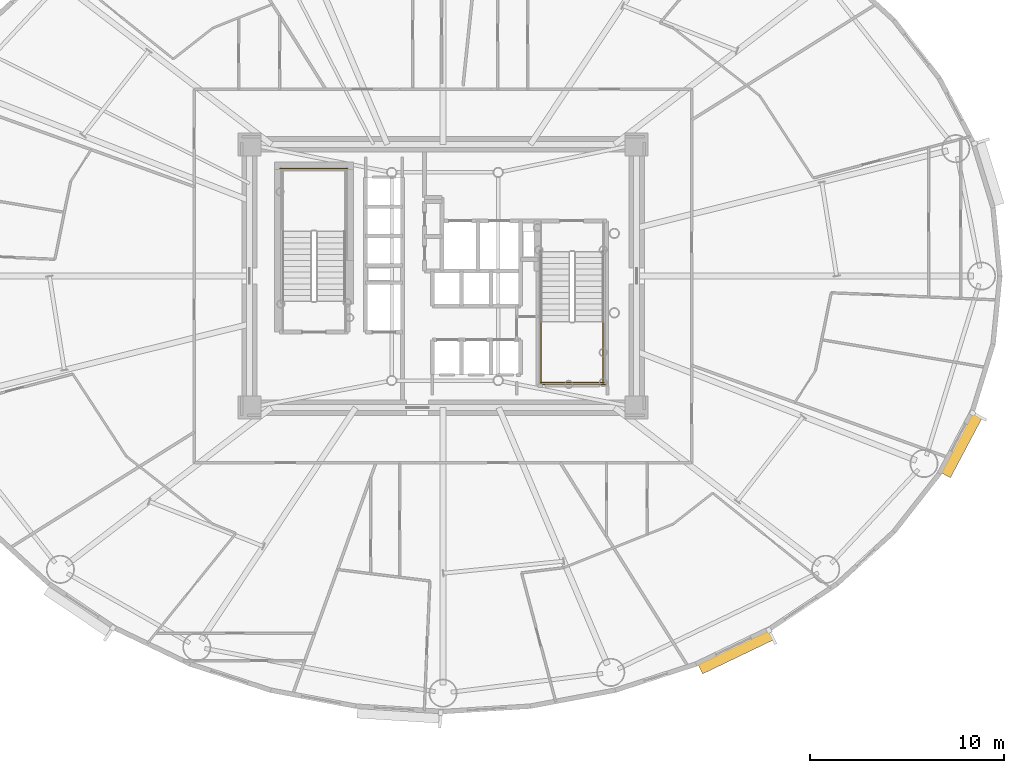
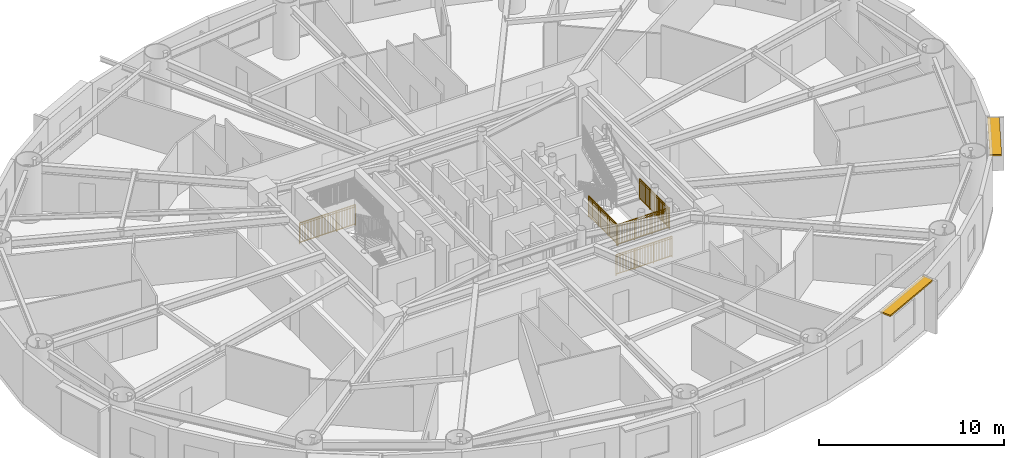
# One storey, part 19 of 21: 5 railings, 2 shading devices.
"""IFC4 building model written with IfcOpenShell, lengths in metres."""

from ifc_helpers import new_model, si_unit, direction, frame, origin, origin_2d, place, context, subcontext, project, spatial, rectangle, extrude, source, transform, mapped, material, layer, layer_set, type_object, element, save


model = new_model("IFC4")

# Units and contexts
model_context = context("Model", 3, precision=1e-05, world=origin(), true_north=direction((0.0, 1.0)))
body_context = subcontext(model_context, "Body", "Model", "MODEL_VIEW")
ifc_project = project(units=[si_unit("LENGTHUNIT", "METRE"), si_unit("AREAUNIT", "SQUARE_METRE"), si_unit("VOLUMEUNIT", "CUBIC_METRE"), si_unit("PLANEANGLEUNIT", "RADIAN"), si_unit("MASSUNIT", "GRAM", prefix="KILO")], contexts=[model_context])

# Site, building, storey
site_placement = place(None, origin())
site = spatial("IfcSite", under=ifc_project, at=site_placement, CompositionType="ELEMENT")
building_placement = place(site_placement, origin())
building = spatial("IfcBuilding", under=site, at=building_placement, Name="Linh Dai School and Residence Tower", CompositionType="ELEMENT")
storey_placement = place(building_placement, frame((0.0, 0.0, 115.949951171875)))
storey = spatial("IfcBuildingStorey", under=building, at=storey_placement, Name="L27", CompositionType="ELEMENT", Elevation=115.949951171875)

# Shading devices
ifc_material_1 = material(Name="Terracotta Ceramic Sunshade", Category="masonry")
ifc_layer = layer(ifc_material_1, 0.10009765625)
ifc_layer_set = layer_set([ifc_layer], Name="Terracotta Ceramic Sunshade")
shading_device_type = type_object("IfcShadingDeviceType", Name="SHD-TC-650", PredefinedType="USERDEFINED", material=ifc_layer_set)
shared_shape_1 = source(origin(), body_context, "Body", "SweptSolid", [
    extrude(rectangle(XDim=4.1005859375, YDim=0.64990234375, at=origin_2d()), origin(), (0.0, 0.0, 1.0), 0.10009765625),
])
shading_device_1_placement = place(storey_placement, frame((51.122802734375, 7.61962890625, 3.3798828125), z_axis=(0.0, 0.0, 1.0), x_axis=(-0.901577518371, -0.432617589064, 0.0)))
element("IfcShadingDevice", 1, at=shading_device_1_placement, inside=storey, type_object=shading_device_type, Name="L27 Terracotta Horizontal Sunshade Band 34", ObjectType="SUNSHADE", PredefinedType="USERDEFINED", context=body_context, shape_type="MappedRepresentation", body=[
    mapped(shared_shape_1, transform((0.0, 0.0, 0.0), x_axis=(1.0, 0.0, 0.0), y_axis=(0.0, 1.0, 0.0), z_axis=(0.0, 0.0, 1.0), scale=1.0)),
])
shared_shape_2 = source(origin(), body_context, "Body", "SweptSolid", [
    extrude(rectangle(XDim=3.541015625, YDim=0.64990234375, at=origin_2d()), origin(), (0.0, 0.0, 1.0), 0.10009765625),
])
shading_device_2_placement = place(storey_placement, frame((62.759521484375, 18.291259765625, 3.3798828125), z_axis=(0.0, 0.0, 1.0), x_axis=(-0.467596217252, -0.883942180016, 0.0)))
element("IfcShadingDevice", 2, at=shading_device_2_placement, inside=storey, type_object=shading_device_type, Name="L27 Terracotta Horizontal Sunshade Band 38", ObjectType="SUNSHADE", PredefinedType="USERDEFINED", context=body_context, shape_type="MappedRepresentation", body=[
    mapped(shared_shape_2, transform((0.0, 0.0, 0.0), x_axis=(1.0, 0.0, 0.0), y_axis=(0.0, 1.0, 0.0), z_axis=(0.0, 0.0, 1.0), scale=1.0)),
])

# Railings
ifc_material_2 = material(Name="Structural Steel S355JR", Category="steel")
railing_type = type_object("IfcRailingType", Name="RL-ST-GUARD-1400", PredefinedType="GUARDRAIL", material=ifc_material_2)
shared_shape_3 = source(origin(), body_context, "Body", "SweptSolid", [
    extrude(rectangle(XDim=0.048095703125, YDim=0.048095703125, at=origin_2d()), frame((0.0, 0.0, 1.3759765625), z_axis=(-1.0, 0.0, 0.0), x_axis=(0.0, -1.0, 0.0)), (0.0, 0.0, 1.0), 3.5),
    extrude(rectangle(XDim=0.048095703125, YDim=0.048095703125, at=origin_2d()), frame((0.0, 0.0, 0.10009765625), z_axis=(-1.0, 0.0, 0.0), x_axis=(0.0, -1.0, 0.0)), (0.0, 0.0, 1.0), 3.5),
    extrude(rectangle(XDim=0.030029296875, YDim=0.030029296875, at=origin_2d()), frame((0.0, 0.0, 1.239990234375), z_axis=(-1.0, 0.0, 0.0), x_axis=(0.0, -1.0, 0.0)), (0.0, 0.0, 1.0), 3.5),
    extrude(rectangle(XDim=0.02001953125, YDim=0.02001953125, at=origin_2d()), frame((-0.09716796875, 0.0, 0.10009765625)), (0.0, 0.0, 1.0), 1.251708984375),
    extrude(rectangle(XDim=0.02001953125, YDim=0.02001953125, at=origin_2d()), frame((-0.1943359375, 0.0, 0.10009765625)), (0.0, 0.0, 1.0), 1.251708984375),
    extrude(rectangle(XDim=0.02001953125, YDim=0.02001953125, at=origin_2d()), frame((-0.291748046875, 0.0, 0.10009765625)), (0.0, 0.0, 1.0), 1.251708984375),
    extrude(rectangle(XDim=0.02001953125, YDim=0.02001953125, at=origin_2d()), frame((-0.388916015625, 0.0, 0.10009765625)), (0.0, 0.0, 1.0), 1.251708984375),
    extrude(rectangle(XDim=0.02001953125, YDim=0.02001953125, at=origin_2d()), frame((-0.486083984375, 0.0, 0.10009765625)), (0.0, 0.0, 1.0), 1.251708984375),
    extrude(rectangle(XDim=0.02001953125, YDim=0.02001953125, at=origin_2d()), frame((-0.583251953125, 0.0, 0.10009765625)), (0.0, 0.0, 1.0), 1.251708984375),
    extrude(rectangle(XDim=0.02001953125, YDim=0.02001953125, at=origin_2d()), frame((-0.6806640625, 0.0, 0.10009765625)), (0.0, 0.0, 1.0), 1.251708984375),
    extrude(rectangle(XDim=0.02001953125, YDim=0.02001953125, at=origin_2d()), frame((-0.77783203125, 0.0, 0.10009765625)), (0.0, 0.0, 1.0), 1.251708984375),
    extrude(rectangle(XDim=0.02001953125, YDim=0.02001953125, at=origin_2d()), frame((-0.875, 0.0, 0.10009765625)), (0.0, 0.0, 1.0), 1.251708984375),
    extrude(rectangle(XDim=0.02001953125, YDim=0.02001953125, at=origin_2d()), frame((-0.97216796875, 0.0, 0.10009765625)), (0.0, 0.0, 1.0), 1.251708984375),
    extrude(rectangle(XDim=0.02001953125, YDim=0.02001953125, at=origin_2d()), frame((-1.0693359375, 0.0, 0.10009765625)), (0.0, 0.0, 1.0), 1.251708984375),
    extrude(rectangle(XDim=0.02001953125, YDim=0.02001953125, at=origin_2d()), frame((-1.263916015625, 0.0, 0.10009765625)), (0.0, 0.0, 1.0), 1.251708984375),
    extrude(rectangle(XDim=0.02001953125, YDim=0.02001953125, at=origin_2d()), frame((-1.361083984375, 0.0, 0.10009765625)), (0.0, 0.0, 1.0), 1.251708984375),
    extrude(rectangle(XDim=0.02001953125, YDim=0.02001953125, at=origin_2d()), frame((-1.458251953125, 0.0, 0.10009765625)), (0.0, 0.0, 1.0), 1.251708984375),
    extrude(rectangle(XDim=0.02001953125, YDim=0.02001953125, at=origin_2d()), frame((-1.5556640625, 0.0, 0.10009765625)), (0.0, 0.0, 1.0), 1.251708984375),
    extrude(rectangle(XDim=0.02001953125, YDim=0.02001953125, at=origin_2d()), frame((-1.65283203125, 0.0, 0.10009765625)), (0.0, 0.0, 1.0), 1.251708984375),
    extrude(rectangle(XDim=0.02001953125, YDim=0.02001953125, at=origin_2d()), frame((-1.75, 0.0, 0.10009765625)), (0.0, 0.0, 1.0), 1.251708984375),
    extrude(rectangle(XDim=0.02001953125, YDim=0.02001953125, at=origin_2d()), frame((-1.84716796875, 0.0, 0.10009765625)), (0.0, 0.0, 1.0), 1.251708984375),
    extrude(rectangle(XDim=0.02001953125, YDim=0.02001953125, at=origin_2d()), frame((-1.9443359375, 0.0, 0.10009765625)), (0.0, 0.0, 1.0), 1.251708984375),
    extrude(rectangle(XDim=0.02001953125, YDim=0.02001953125, at=origin_2d()), frame((-2.041748046875, 0.0, 0.10009765625)), (0.0, 0.0, 1.0), 1.251708984375),
    extrude(rectangle(XDim=0.02001953125, YDim=0.02001953125, at=origin_2d()), frame((-2.138916015625, 0.0, 0.10009765625)), (0.0, 0.0, 1.0), 1.251708984375),
    extrude(rectangle(XDim=0.02001953125, YDim=0.02001953125, at=origin_2d()), frame((-2.236083984375, 0.0, 0.10009765625)), (0.0, 0.0, 1.0), 1.251708984375),
    extrude(rectangle(XDim=0.02001953125, YDim=0.02001953125, at=origin_2d()), frame((-2.4306640625, 0.0, 0.10009765625)), (0.0, 0.0, 1.0), 1.251708984375),
    extrude(rectangle(XDim=0.02001953125, YDim=0.02001953125, at=origin_2d()), frame((-2.52783203125, 0.0, 0.10009765625)), (0.0, 0.0, 1.0), 1.251708984375),
    extrude(rectangle(XDim=0.02001953125, YDim=0.02001953125, at=origin_2d()), frame((-2.625, 0.0, 0.10009765625)), (0.0, 0.0, 1.0), 1.251708984375),
    extrude(rectangle(XDim=0.02001953125, YDim=0.02001953125, at=origin_2d()), frame((-2.72216796875, 0.0, 0.10009765625)), (0.0, 0.0, 1.0), 1.251708984375),
    extrude(rectangle(XDim=0.02001953125, YDim=0.02001953125, at=origin_2d()), frame((-2.8193359375, 0.0, 0.10009765625)), (0.0, 0.0, 1.0), 1.251708984375),
    extrude(rectangle(XDim=0.02001953125, YDim=0.02001953125, at=origin_2d()), frame((-2.916748046875, 0.0, 0.10009765625)), (0.0, 0.0, 1.0), 1.251708984375),
    extrude(rectangle(XDim=0.02001953125, YDim=0.02001953125, at=origin_2d()), frame((-3.013916015625, 0.0, 0.10009765625)), (0.0, 0.0, 1.0), 1.251708984375),
    extrude(rectangle(XDim=0.02001953125, YDim=0.02001953125, at=origin_2d()), frame((-3.111083984375, 0.0, 0.10009765625)), (0.0, 0.0, 1.0), 1.251708984375),
    extrude(rectangle(XDim=0.02001953125, YDim=0.02001953125, at=origin_2d()), frame((-3.208251953125, 0.0, 0.10009765625)), (0.0, 0.0, 1.0), 1.251708984375),
    extrude(rectangle(XDim=0.02001953125, YDim=0.02001953125, at=origin_2d()), frame((-3.3056640625, 0.0, 0.10009765625)), (0.0, 0.0, 1.0), 1.251708984375),
    extrude(rectangle(XDim=0.02001953125, YDim=0.02001953125, at=origin_2d()), frame((-3.40283203125, 0.0, 0.10009765625)), (0.0, 0.0, 1.0), 1.251708984375),
    extrude(rectangle(XDim=0.0419921875, YDim=0.0419921875, at=origin_2d()), origin(), (0.0, 0.0, 1.0), 1.3759765625),
    extrude(rectangle(XDim=0.0419921875, YDim=0.0419921875, at=origin_2d()), frame((-1.166748046875, 0.0, 0.0)), (0.0, 0.0, 1.0), 1.3759765625),
    extrude(rectangle(XDim=0.0419921875, YDim=0.0419921875, at=origin_2d()), frame((-2.333251953125, 0.0, 0.0)), (0.0, 0.0, 1.0), 1.3759765625),
    extrude(rectangle(XDim=0.0419921875, YDim=0.0419921875, at=origin_2d()), frame((-3.5, 0.0, 0.0)), (0.0, 0.0, 1.0), 1.3759765625),
])
railing_1_placement = place(storey_placement, frame((31.080078125, 32.550048828125, 0.0)))
element("IfcRailing", 3, at=railing_1_placement, inside=storey, type_object=railing_type, Name="L27 ST1 stair guard 12", PredefinedType="GUARDRAIL", context=body_context, shape_type="MappedRepresentation", body=[
    mapped(shared_shape_3, transform((0.0, 0.0, 0.0), x_axis=(1.0, 0.0, 0.0), y_axis=(0.0, 1.0, 0.0), z_axis=(0.0, 0.0, 1.0), scale=1.0)),
])
shared_shape_4 = source(origin(), body_context, "Body", "SweptSolid", [
    extrude(rectangle(XDim=0.048095703125, YDim=0.048095703125, at=origin_2d()), frame((0.0, 0.0, 1.3759765625), z_axis=(1.0, 0.0, 0.0), x_axis=(0.0, 1.0, 0.0)), (0.0, 0.0, 1.0), 3.300048828125),
    extrude(rectangle(XDim=0.048095703125, YDim=0.048095703125, at=origin_2d()), frame((0.0, 0.0, 0.10009765625), z_axis=(1.0, 0.0, 0.0), x_axis=(0.0, 1.0, 0.0)), (0.0, 0.0, 1.0), 3.300048828125),
    extrude(rectangle(XDim=0.030029296875, YDim=0.030029296875, at=origin_2d()), frame((0.0, 0.0, 1.239990234375), z_axis=(1.0, 0.0, 0.0), x_axis=(0.0, 1.0, 0.0)), (0.0, 0.0, 1.0), 3.300048828125),
    extrude(rectangle(XDim=0.02001953125, YDim=0.02001953125, at=origin_2d()), frame((0.09716796875, 0.0, 0.10009765625)), (0.0, 0.0, 1.0), 1.251708984375),
    extrude(rectangle(XDim=0.02001953125, YDim=0.02001953125, at=origin_2d()), frame((0.194091796875, 0.0, 0.10009765625)), (0.0, 0.0, 1.0), 1.251708984375),
    extrude(rectangle(XDim=0.02001953125, YDim=0.02001953125, at=origin_2d()), frame((0.291259765625, 0.0, 0.10009765625)), (0.0, 0.0, 1.0), 1.251708984375),
    extrude(rectangle(XDim=0.02001953125, YDim=0.02001953125, at=origin_2d()), frame((0.38818359375, 0.0, 0.10009765625)), (0.0, 0.0, 1.0), 1.251708984375),
    extrude(rectangle(XDim=0.02001953125, YDim=0.02001953125, at=origin_2d()), frame((0.4853515625, 0.0, 0.10009765625)), (0.0, 0.0, 1.0), 1.251708984375),
    extrude(rectangle(XDim=0.02001953125, YDim=0.02001953125, at=origin_2d()), frame((0.582275390625, 0.0, 0.10009765625)), (0.0, 0.0, 1.0), 1.251708984375),
    extrude(rectangle(XDim=0.02001953125, YDim=0.02001953125, at=origin_2d()), frame((0.679443359375, 0.0, 0.10009765625)), (0.0, 0.0, 1.0), 1.251708984375),
    extrude(rectangle(XDim=0.02001953125, YDim=0.02001953125, at=origin_2d()), frame((0.7763671875, 0.0, 0.10009765625)), (0.0, 0.0, 1.0), 1.251708984375),
    extrude(rectangle(XDim=0.02001953125, YDim=0.02001953125, at=origin_2d()), frame((0.87353515625, 0.0, 0.10009765625)), (0.0, 0.0, 1.0), 1.251708984375),
    extrude(rectangle(XDim=0.02001953125, YDim=0.02001953125, at=origin_2d()), frame((0.970703125, 0.0, 0.10009765625)), (0.0, 0.0, 1.0), 1.251708984375),
    extrude(rectangle(XDim=0.02001953125, YDim=0.02001953125, at=origin_2d()), frame((1.164794921875, 0.0, 0.10009765625)), (0.0, 0.0, 1.0), 1.251708984375),
    extrude(rectangle(XDim=0.02001953125, YDim=0.02001953125, at=origin_2d()), frame((1.26171875, 0.0, 0.10009765625)), (0.0, 0.0, 1.0), 1.251708984375),
    extrude(rectangle(XDim=0.02001953125, YDim=0.02001953125, at=origin_2d()), frame((1.35888671875, 0.0, 0.10009765625)), (0.0, 0.0, 1.0), 1.251708984375),
    extrude(rectangle(XDim=0.02001953125, YDim=0.02001953125, at=origin_2d()), frame((1.455810546875, 0.0, 0.10009765625)), (0.0, 0.0, 1.0), 1.251708984375),
    extrude(rectangle(XDim=0.02001953125, YDim=0.02001953125, at=origin_2d()), frame((1.552978515625, 0.0, 0.10009765625)), (0.0, 0.0, 1.0), 1.251708984375),
    extrude(rectangle(XDim=0.02001953125, YDim=0.02001953125, at=origin_2d()), frame((1.64990234375, 0.0, 0.10009765625)), (0.0, 0.0, 1.0), 1.251708984375),
    extrude(rectangle(XDim=0.02001953125, YDim=0.02001953125, at=origin_2d()), frame((1.7470703125, 0.0, 0.10009765625)), (0.0, 0.0, 1.0), 1.251708984375),
    extrude(rectangle(XDim=0.02001953125, YDim=0.02001953125, at=origin_2d()), frame((1.84423828125, 0.0, 0.10009765625)), (0.0, 0.0, 1.0), 1.251708984375),
    extrude(rectangle(XDim=0.02001953125, YDim=0.02001953125, at=origin_2d()), frame((1.941162109375, 0.0, 0.10009765625)), (0.0, 0.0, 1.0), 1.251708984375),
    extrude(rectangle(XDim=0.02001953125, YDim=0.02001953125, at=origin_2d()), frame((2.038330078125, 0.0, 0.10009765625)), (0.0, 0.0, 1.0), 1.251708984375),
    extrude(rectangle(XDim=0.02001953125, YDim=0.02001953125, at=origin_2d()), frame((2.13525390625, 0.0, 0.10009765625)), (0.0, 0.0, 1.0), 1.251708984375),
    extrude(rectangle(XDim=0.02001953125, YDim=0.02001953125, at=origin_2d()), frame((2.329345703125, 0.0, 0.10009765625)), (0.0, 0.0, 1.0), 1.251708984375),
    extrude(rectangle(XDim=0.02001953125, YDim=0.02001953125, at=origin_2d()), frame((2.426513671875, 0.0, 0.10009765625)), (0.0, 0.0, 1.0), 1.251708984375),
    extrude(rectangle(XDim=0.02001953125, YDim=0.02001953125, at=origin_2d()), frame((2.523681640625, 0.0, 0.10009765625)), (0.0, 0.0, 1.0), 1.251708984375),
    extrude(rectangle(XDim=0.02001953125, YDim=0.02001953125, at=origin_2d()), frame((2.62060546875, 0.0, 0.10009765625)), (0.0, 0.0, 1.0), 1.251708984375),
    extrude(rectangle(XDim=0.02001953125, YDim=0.02001953125, at=origin_2d()), frame((2.7177734375, 0.0, 0.10009765625)), (0.0, 0.0, 1.0), 1.251708984375),
    extrude(rectangle(XDim=0.02001953125, YDim=0.02001953125, at=origin_2d()), frame((2.814697265625, 0.0, 0.10009765625)), (0.0, 0.0, 1.0), 1.251708984375),
    extrude(rectangle(XDim=0.02001953125, YDim=0.02001953125, at=origin_2d()), frame((2.911865234375, 0.0, 0.10009765625)), (0.0, 0.0, 1.0), 1.251708984375),
    extrude(rectangle(XDim=0.02001953125, YDim=0.02001953125, at=origin_2d()), frame((3.0087890625, 0.0, 0.10009765625)), (0.0, 0.0, 1.0), 1.251708984375),
    extrude(rectangle(XDim=0.02001953125, YDim=0.02001953125, at=origin_2d()), frame((3.10595703125, 0.0, 0.10009765625)), (0.0, 0.0, 1.0), 1.251708984375),
    extrude(rectangle(XDim=0.02001953125, YDim=0.02001953125, at=origin_2d()), frame((3.202880859375, 0.0, 0.10009765625)), (0.0, 0.0, 1.0), 1.251708984375),
    extrude(rectangle(XDim=0.0419921875, YDim=0.0419921875, at=origin_2d()), origin(), (0.0, 0.0, 1.0), 1.3759765625),
    extrude(rectangle(XDim=0.0419921875, YDim=0.0419921875, at=origin_2d()), frame((1.10009765625, 0.0, 0.0)), (0.0, 0.0, 1.0), 1.3759765625),
    extrude(rectangle(XDim=0.0419921875, YDim=0.0419921875, at=origin_2d()), frame((2.199951171875, 0.0, 0.0)), (0.0, 0.0, 1.0), 1.3759765625),
    extrude(rectangle(XDim=0.0419921875, YDim=0.0419921875, at=origin_2d()), frame((3.300048828125, 0.0, 0.0)), (0.0, 0.0, 1.0), 1.3759765625),
])
railing_2_placement = place(storey_placement, frame((41.02001953125, 21.5, 1.875)))
element("IfcRailing", 4, at=railing_2_placement, inside=storey, type_object=railing_type, Name="L27 ST2 stair guard 5", PredefinedType="GUARDRAIL", context=body_context, shape_type="MappedRepresentation", body=[
    mapped(shared_shape_4, transform((0.0, 0.0, 0.0), x_axis=(1.0, 0.0, 0.0), y_axis=(0.0, 1.0, 0.0), z_axis=(0.0, 0.0, 1.0), scale=1.0)),
])
shared_shape_5 = source(origin(), body_context, "Body", "SweptSolid", [
    extrude(rectangle(XDim=0.048095703125, YDim=0.048095703125, at=origin_2d()), frame((0.0, 0.0, 1.3759765625), z_axis=(1.0, 0.0, 0.0), x_axis=(0.0, 1.0, 0.0)), (0.0, 0.0, 1.0), 3.5),
    extrude(rectangle(XDim=0.048095703125, YDim=0.048095703125, at=origin_2d()), frame((0.0, 0.0, 0.10009765625), z_axis=(1.0, 0.0, 0.0), x_axis=(0.0, 1.0, 0.0)), (0.0, 0.0, 1.0), 3.5),
    extrude(rectangle(XDim=0.030029296875, YDim=0.030029296875, at=origin_2d()), frame((0.0, 0.0, 1.239990234375), z_axis=(1.0, 0.0, 0.0), x_axis=(0.0, 1.0, 0.0)), (0.0, 0.0, 1.0), 3.5),
    extrude(rectangle(XDim=0.02001953125, YDim=0.02001953125, at=origin_2d()), frame((0.09716796875, 0.0, 0.10009765625)), (0.0, 0.0, 1.0), 1.251708984375),
    extrude(rectangle(XDim=0.02001953125, YDim=0.02001953125, at=origin_2d()), frame((0.1943359375, 0.0, 0.10009765625)), (0.0, 0.0, 1.0), 1.251708984375),
    extrude(rectangle(XDim=0.02001953125, YDim=0.02001953125, at=origin_2d()), frame((0.291748046875, 0.0, 0.10009765625)), (0.0, 0.0, 1.0), 1.251708984375),
    extrude(rectangle(XDim=0.02001953125, YDim=0.02001953125, at=origin_2d()), frame((0.388916015625, 0.0, 0.10009765625)), (0.0, 0.0, 1.0), 1.251708984375),
    extrude(rectangle(XDim=0.02001953125, YDim=0.02001953125, at=origin_2d()), frame((0.486083984375, 0.0, 0.10009765625)), (0.0, 0.0, 1.0), 1.251708984375),
    extrude(rectangle(XDim=0.02001953125, YDim=0.02001953125, at=origin_2d()), frame((0.583251953125, 0.0, 0.10009765625)), (0.0, 0.0, 1.0), 1.251708984375),
    extrude(rectangle(XDim=0.02001953125, YDim=0.02001953125, at=origin_2d()), frame((0.6806640625, 0.0, 0.10009765625)), (0.0, 0.0, 1.0), 1.251708984375),
    extrude(rectangle(XDim=0.02001953125, YDim=0.02001953125, at=origin_2d()), frame((0.77783203125, 0.0, 0.10009765625)), (0.0, 0.0, 1.0), 1.251708984375),
    extrude(rectangle(XDim=0.02001953125, YDim=0.02001953125, at=origin_2d()), frame((0.875, 0.0, 0.10009765625)), (0.0, 0.0, 1.0), 1.251708984375),
    extrude(rectangle(XDim=0.02001953125, YDim=0.02001953125, at=origin_2d()), frame((0.97216796875, 0.0, 0.10009765625)), (0.0, 0.0, 1.0), 1.251708984375),
    extrude(rectangle(XDim=0.02001953125, YDim=0.02001953125, at=origin_2d()), frame((1.0693359375, 0.0, 0.10009765625)), (0.0, 0.0, 1.0), 1.251708984375),
    extrude(rectangle(XDim=0.02001953125, YDim=0.02001953125, at=origin_2d()), frame((1.263916015625, 0.0, 0.10009765625)), (0.0, 0.0, 1.0), 1.251708984375),
    extrude(rectangle(XDim=0.02001953125, YDim=0.02001953125, at=origin_2d()), frame((1.361083984375, 0.0, 0.10009765625)), (0.0, 0.0, 1.0), 1.251708984375),
    extrude(rectangle(XDim=0.02001953125, YDim=0.02001953125, at=origin_2d()), frame((1.458251953125, 0.0, 0.10009765625)), (0.0, 0.0, 1.0), 1.251708984375),
    extrude(rectangle(XDim=0.02001953125, YDim=0.02001953125, at=origin_2d()), frame((1.5556640625, 0.0, 0.10009765625)), (0.0, 0.0, 1.0), 1.251708984375),
    extrude(rectangle(XDim=0.02001953125, YDim=0.02001953125, at=origin_2d()), frame((1.65283203125, 0.0, 0.10009765625)), (0.0, 0.0, 1.0), 1.251708984375),
    extrude(rectangle(XDim=0.02001953125, YDim=0.02001953125, at=origin_2d()), frame((1.75, 0.0, 0.10009765625)), (0.0, 0.0, 1.0), 1.251708984375),
    extrude(rectangle(XDim=0.02001953125, YDim=0.02001953125, at=origin_2d()), frame((1.84716796875, 0.0, 0.10009765625)), (0.0, 0.0, 1.0), 1.251708984375),
    extrude(rectangle(XDim=0.02001953125, YDim=0.02001953125, at=origin_2d()), frame((1.9443359375, 0.0, 0.10009765625)), (0.0, 0.0, 1.0), 1.251708984375),
    extrude(rectangle(XDim=0.02001953125, YDim=0.02001953125, at=origin_2d()), frame((2.041748046875, 0.0, 0.10009765625)), (0.0, 0.0, 1.0), 1.251708984375),
    extrude(rectangle(XDim=0.02001953125, YDim=0.02001953125, at=origin_2d()), frame((2.138916015625, 0.0, 0.10009765625)), (0.0, 0.0, 1.0), 1.251708984375),
    extrude(rectangle(XDim=0.02001953125, YDim=0.02001953125, at=origin_2d()), frame((2.236083984375, 0.0, 0.10009765625)), (0.0, 0.0, 1.0), 1.251708984375),
    extrude(rectangle(XDim=0.02001953125, YDim=0.02001953125, at=origin_2d()), frame((2.4306640625, 0.0, 0.10009765625)), (0.0, 0.0, 1.0), 1.251708984375),
    extrude(rectangle(XDim=0.02001953125, YDim=0.02001953125, at=origin_2d()), frame((2.52783203125, 0.0, 0.10009765625)), (0.0, 0.0, 1.0), 1.251708984375),
    extrude(rectangle(XDim=0.02001953125, YDim=0.02001953125, at=origin_2d()), frame((2.625, 0.0, 0.10009765625)), (0.0, 0.0, 1.0), 1.251708984375),
    extrude(rectangle(XDim=0.02001953125, YDim=0.02001953125, at=origin_2d()), frame((2.72216796875, 0.0, 0.10009765625)), (0.0, 0.0, 1.0), 1.251708984375),
    extrude(rectangle(XDim=0.02001953125, YDim=0.02001953125, at=origin_2d()), frame((2.8193359375, 0.0, 0.10009765625)), (0.0, 0.0, 1.0), 1.251708984375),
    extrude(rectangle(XDim=0.02001953125, YDim=0.02001953125, at=origin_2d()), frame((2.916748046875, 0.0, 0.10009765625)), (0.0, 0.0, 1.0), 1.251708984375),
    extrude(rectangle(XDim=0.02001953125, YDim=0.02001953125, at=origin_2d()), frame((3.013916015625, 0.0, 0.10009765625)), (0.0, 0.0, 1.0), 1.251708984375),
    extrude(rectangle(XDim=0.02001953125, YDim=0.02001953125, at=origin_2d()), frame((3.111083984375, 0.0, 0.10009765625)), (0.0, 0.0, 1.0), 1.251708984375),
    extrude(rectangle(XDim=0.02001953125, YDim=0.02001953125, at=origin_2d()), frame((3.208251953125, 0.0, 0.10009765625)), (0.0, 0.0, 1.0), 1.251708984375),
    extrude(rectangle(XDim=0.02001953125, YDim=0.02001953125, at=origin_2d()), frame((3.3056640625, 0.0, 0.10009765625)), (0.0, 0.0, 1.0), 1.251708984375),
    extrude(rectangle(XDim=0.02001953125, YDim=0.02001953125, at=origin_2d()), frame((3.40283203125, 0.0, 0.10009765625)), (0.0, 0.0, 1.0), 1.251708984375),
    extrude(rectangle(XDim=0.0419921875, YDim=0.0419921875, at=origin_2d()), origin(), (0.0, 0.0, 1.0), 1.3759765625),
    extrude(rectangle(XDim=0.0419921875, YDim=0.0419921875, at=origin_2d()), frame((1.166748046875, 0.0, 0.0)), (0.0, 0.0, 1.0), 1.3759765625),
    extrude(rectangle(XDim=0.0419921875, YDim=0.0419921875, at=origin_2d()), frame((2.333251953125, 0.0, 0.0)), (0.0, 0.0, 1.0), 1.3759765625),
    extrude(rectangle(XDim=0.0419921875, YDim=0.0419921875, at=origin_2d()), frame((3.5, 0.0, 0.0)), (0.0, 0.0, 1.0), 1.3759765625),
])
railing_3_placement = place(storey_placement, frame((40.919921875, 21.39990234375, 0.0)))
element("IfcRailing", 5, at=railing_3_placement, inside=storey, type_object=railing_type, Name="L27 ST2 stair guard 12", PredefinedType="GUARDRAIL", context=body_context, shape_type="MappedRepresentation", body=[
    mapped(shared_shape_5, transform((0.0, 0.0, 0.0), x_axis=(1.0, 0.0, 0.0), y_axis=(0.0, 1.0, 0.0), z_axis=(0.0, 0.0, 1.0), scale=1.0)),
])
shared_shape_6 = source(origin(), body_context, "Body", "SweptSolid", [
    extrude(rectangle(XDim=0.048095703125, YDim=0.048095703125, at=origin_2d()), frame((0.0, 0.0, 1.3759765625), z_axis=(0.0, -1.0, 0.0), x_axis=(1.0, 0.0, 0.0)), (0.0, 0.0, 1.0), 3.199951171875),
    extrude(rectangle(XDim=0.048095703125, YDim=0.048095703125, at=origin_2d()), frame((0.0, 0.0, 0.10009765625), z_axis=(0.0, -1.0, 0.0), x_axis=(1.0, 0.0, 0.0)), (0.0, 0.0, 1.0), 3.199951171875),
    extrude(rectangle(XDim=0.030029296875, YDim=0.030029296875, at=origin_2d()), frame((0.0, 0.0, 1.239990234375), z_axis=(0.0, -1.0, 0.0), x_axis=(1.0, 0.0, 0.0)), (0.0, 0.0, 1.0), 3.199951171875),
    extrude(rectangle(XDim=0.02001953125, YDim=0.02001953125, at=origin_2d()), frame((0.0, -0.096923828125, 0.10009765625)), (0.0, 0.0, 1.0), 1.251708984375),
    extrude(rectangle(XDim=0.02001953125, YDim=0.02001953125, at=origin_2d()), frame((0.0, -0.19384765625, 0.10009765625)), (0.0, 0.0, 1.0), 1.251708984375),
    extrude(rectangle(XDim=0.02001953125, YDim=0.02001953125, at=origin_2d()), frame((0.0, -0.291015625, 0.10009765625)), (0.0, 0.0, 1.0), 1.251708984375),
    extrude(rectangle(XDim=0.02001953125, YDim=0.02001953125, at=origin_2d()), frame((0.0, -0.387939453125, 0.10009765625)), (0.0, 0.0, 1.0), 1.251708984375),
    extrude(rectangle(XDim=0.02001953125, YDim=0.02001953125, at=origin_2d()), frame((0.0, -0.48486328125, 0.10009765625)), (0.0, 0.0, 1.0), 1.251708984375),
    extrude(rectangle(XDim=0.02001953125, YDim=0.02001953125, at=origin_2d()), frame((0.0, -0.581787109375, 0.10009765625)), (0.0, 0.0, 1.0), 1.251708984375),
    extrude(rectangle(XDim=0.02001953125, YDim=0.02001953125, at=origin_2d()), frame((0.0, -0.6787109375, 0.10009765625)), (0.0, 0.0, 1.0), 1.251708984375),
    extrude(rectangle(XDim=0.02001953125, YDim=0.02001953125, at=origin_2d()), frame((0.0, -0.775634765625, 0.10009765625)), (0.0, 0.0, 1.0), 1.251708984375),
    extrude(rectangle(XDim=0.02001953125, YDim=0.02001953125, at=origin_2d()), frame((0.0, -0.872802734375, 0.10009765625)), (0.0, 0.0, 1.0), 1.251708984375),
    extrude(rectangle(XDim=0.02001953125, YDim=0.02001953125, at=origin_2d()), frame((0.0, -0.9697265625, 0.10009765625)), (0.0, 0.0, 1.0), 1.251708984375),
    extrude(rectangle(XDim=0.02001953125, YDim=0.02001953125, at=origin_2d()), frame((0.0, -1.16357421875, 0.10009765625)), (0.0, 0.0, 1.0), 1.251708984375),
    extrude(rectangle(XDim=0.02001953125, YDim=0.02001953125, at=origin_2d()), frame((0.0, -1.260498046875, 0.10009765625)), (0.0, 0.0, 1.0), 1.251708984375),
    extrude(rectangle(XDim=0.02001953125, YDim=0.02001953125, at=origin_2d()), frame((0.0, -1.357666015625, 0.10009765625)), (0.0, 0.0, 1.0), 1.251708984375),
    extrude(rectangle(XDim=0.02001953125, YDim=0.02001953125, at=origin_2d()), frame((0.0, -1.45458984375, 0.10009765625)), (0.0, 0.0, 1.0), 1.251708984375),
    extrude(rectangle(XDim=0.02001953125, YDim=0.02001953125, at=origin_2d()), frame((0.0, -1.551513671875, 0.10009765625)), (0.0, 0.0, 1.0), 1.251708984375),
    extrude(rectangle(XDim=0.02001953125, YDim=0.02001953125, at=origin_2d()), frame((0.0, -1.6484375, 0.10009765625)), (0.0, 0.0, 1.0), 1.251708984375),
    extrude(rectangle(XDim=0.02001953125, YDim=0.02001953125, at=origin_2d()), frame((0.0, -1.745361328125, 0.10009765625)), (0.0, 0.0, 1.0), 1.251708984375),
    extrude(rectangle(XDim=0.02001953125, YDim=0.02001953125, at=origin_2d()), frame((0.0, -1.84228515625, 0.10009765625)), (0.0, 0.0, 1.0), 1.251708984375),
    extrude(rectangle(XDim=0.02001953125, YDim=0.02001953125, at=origin_2d()), frame((0.0, -1.939453125, 0.10009765625)), (0.0, 0.0, 1.0), 1.251708984375),
    extrude(rectangle(XDim=0.02001953125, YDim=0.02001953125, at=origin_2d()), frame((0.0, -2.036376953125, 0.10009765625)), (0.0, 0.0, 1.0), 1.251708984375),
    extrude(rectangle(XDim=0.02001953125, YDim=0.02001953125, at=origin_2d()), frame((0.0, -2.230224609375, 0.10009765625)), (0.0, 0.0, 1.0), 1.251708984375),
    extrude(rectangle(XDim=0.02001953125, YDim=0.02001953125, at=origin_2d()), frame((0.0, -2.3271484375, 0.10009765625)), (0.0, 0.0, 1.0), 1.251708984375),
    extrude(rectangle(XDim=0.02001953125, YDim=0.02001953125, at=origin_2d()), frame((0.0, -2.42431640625, 0.10009765625)), (0.0, 0.0, 1.0), 1.251708984375),
    extrude(rectangle(XDim=0.02001953125, YDim=0.02001953125, at=origin_2d()), frame((0.0, -2.521240234375, 0.10009765625)), (0.0, 0.0, 1.0), 1.251708984375),
    extrude(rectangle(XDim=0.02001953125, YDim=0.02001953125, at=origin_2d()), frame((0.0, -2.6181640625, 0.10009765625)), (0.0, 0.0, 1.0), 1.251708984375),
    extrude(rectangle(XDim=0.02001953125, YDim=0.02001953125, at=origin_2d()), frame((0.0, -2.715087890625, 0.10009765625)), (0.0, 0.0, 1.0), 1.251708984375),
    extrude(rectangle(XDim=0.02001953125, YDim=0.02001953125, at=origin_2d()), frame((0.0, -2.81201171875, 0.10009765625)), (0.0, 0.0, 1.0), 1.251708984375),
    extrude(rectangle(XDim=0.02001953125, YDim=0.02001953125, at=origin_2d()), frame((0.0, -2.908935546875, 0.10009765625)), (0.0, 0.0, 1.0), 1.251708984375),
    extrude(rectangle(XDim=0.02001953125, YDim=0.02001953125, at=origin_2d()), frame((0.0, -3.006103515625, 0.10009765625)), (0.0, 0.0, 1.0), 1.251708984375),
    extrude(rectangle(XDim=0.02001953125, YDim=0.02001953125, at=origin_2d()), frame((0.0, -3.10302734375, 0.10009765625)), (0.0, 0.0, 1.0), 1.251708984375),
    extrude(rectangle(XDim=0.0419921875, YDim=0.0419921875, at=origin_2d()), origin(), (0.0, 0.0, 1.0), 1.3759765625),
    extrude(rectangle(XDim=0.0419921875, YDim=0.0419921875, at=origin_2d()), frame((0.0, -1.066650390625, 0.0)), (0.0, 0.0, 1.0), 1.3759765625),
    extrude(rectangle(XDim=0.0419921875, YDim=0.0419921875, at=origin_2d()), frame((0.0, -2.13330078125, 0.0)), (0.0, 0.0, 1.0), 1.3759765625),
    extrude(rectangle(XDim=0.0419921875, YDim=0.0419921875, at=origin_2d()), frame((0.0, -3.199951171875, 0.0)), (0.0, 0.0, 1.0), 1.3759765625),
])
for number, where, name in (
    (6, (41.070068359375, 24.64990234375, 1.875), "L27 ST2 stair guard 3"),
    (7, (44.27001953125, 24.64990234375, 1.875), "L27 ST2 stair guard 4"),
):
    element("IfcRailing", number, at=place(storey_placement, frame(where)), inside=storey, type_object=railing_type, Name=name, PredefinedType="GUARDRAIL", context=body_context, shape_type="MappedRepresentation", body=[
        mapped(shared_shape_6, transform((0.0, 0.0, 0.0), x_axis=(1.0, 0.0, 0.0), y_axis=(0.0, 1.0, 0.0), z_axis=(0.0, 0.0, 1.0), scale=1.0)),
    ])

save(model, "model.ifc")
